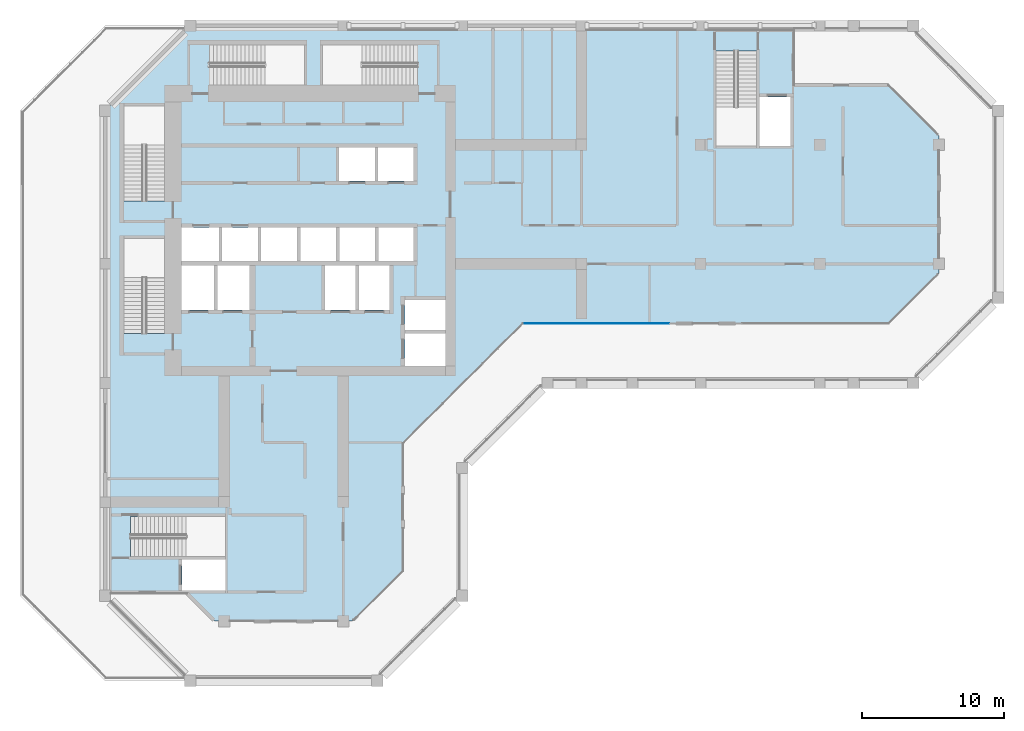
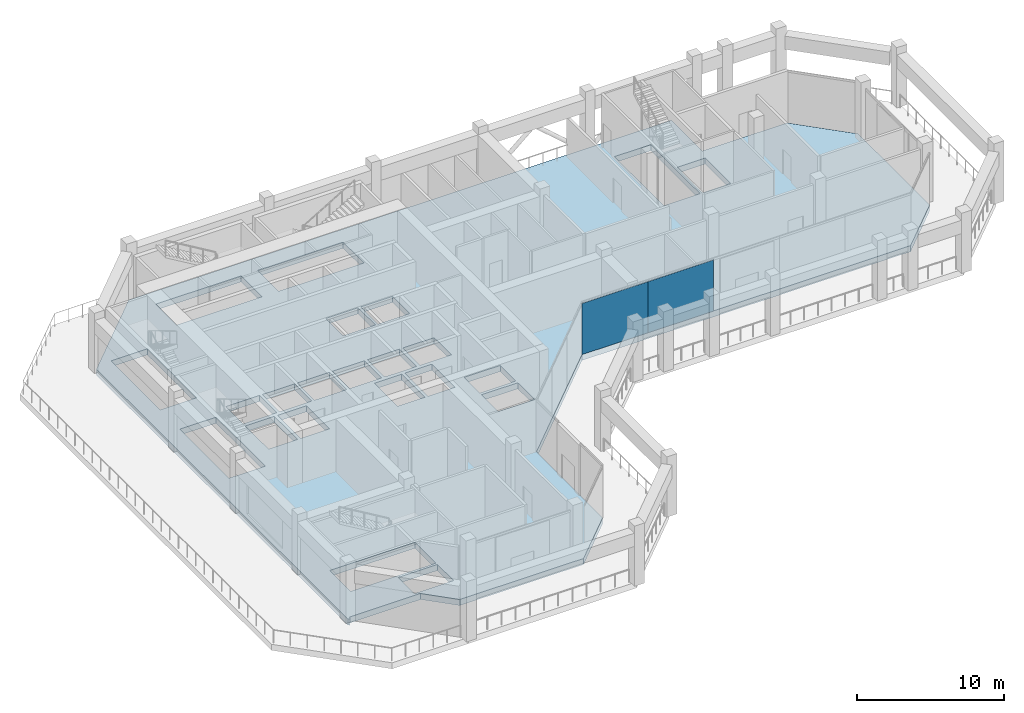
# One storey, part 4 of 16: 2 plates, 1 slab, 1 element without a shape of its own.
"""IFC4 building model written with IfcOpenShell, lengths in metres."""

from ifc_helpers import new_model, si_unit, direction, frame, origin, origin_2d, place, context, subcontext, project, spatial, polyline, rectangle, outline, extrude, material, layer, layer_set, type_object, element, aggregate, save


model = new_model("IFC4")

# Units and contexts
model_context = context("Model", 3, precision=1e-05, world=origin(), true_north=direction((0.0, 1.0)))
body_context = subcontext(model_context, "Body", "Model", "MODEL_VIEW")
ifc_project = project(units=[si_unit("LENGTHUNIT", "METRE"), si_unit("AREAUNIT", "SQUARE_METRE"), si_unit("VOLUMEUNIT", "CUBIC_METRE"), si_unit("PLANEANGLEUNIT", "RADIAN"), si_unit("MASSUNIT", "GRAM", prefix="KILO")], contexts=[model_context])

# Site, building, storey
site_placement = place(None, origin())
site = spatial("IfcSite", under=ifc_project, at=site_placement, CompositionType="ELEMENT")
building_placement = place(site_placement, origin())
building = spatial("IfcBuilding", under=site, at=building_placement, Name="Kawkab Arch Medical Tower", CompositionType="ELEMENT")
storey_placement = place(building_placement, frame((0.0, 0.0, 272.60009765625)))
storey = spatial("IfcBuildingStorey", under=building, at=storey_placement, Name="L63", CompositionType="ELEMENT", Elevation=272.60009765625)

# Curtain wall, plates
ifc_material_1 = material(Name="Bronze anodised aluminium curtain wall frame", Category="aluminium")
ifc_layer_1 = layer(ifc_material_1, 0.159912109375)
ifc_layer_set_1 = layer_set([ifc_layer_1], Name="Bronze anodised aluminium curtain wall frame")
curtain_wall_type = type_object("IfcCurtainWallType", Name="CW4 refuge floor fire-protected glazing", PredefinedType="NOTDEFINED", material=ifc_layer_set_1)
curtain_wall_placement = place(storey_placement, origin())
curtain_wall = element("IfcCurtainWall", 1, at=curtain_wall_placement, inside=storey, type_object=curtain_wall_type, Name="CW4 Refuge floor fire-protected glazing R13", PredefinedType="NOTDEFINED")
ifc_material_2 = material(Name="Fire-resisting laminated glass", Category="glass")
ifc_layer_2 = layer(ifc_material_2, 0.0400390625)
ifc_layer_set_2 = layer_set([ifc_layer_2], Name="Fire-resisting laminated glass")
plate_type = type_object("IfcPlateType", Name="CW4 glazing unit 40", PredefinedType="CURTAIN_PANEL", material=ifc_layer_set_2)
plate_1_placement = place(storey_placement, frame((32.0400390625, -21.0, 0.0), z_axis=(0.0, 0.0, 1.0), x_axis=(1.0, 0.0, 0.0)))
plate_1 = element("IfcPlate", 2, at=plate_1_placement, type_object=plate_type, Name="CW4 glazing unit 1.1", PredefinedType="CURTAIN_PANEL", context=body_context, shape_type="SweptSolid", body=[
    extrude(rectangle(XDim=5.159912109375, YDim=0.0400390625, at=origin_2d()), origin(), (0.0, 0.0, 1.0), 4.239990234375),
])
plate_2_placement = place(storey_placement, frame((37.199951171875, -21.0, 0.0), z_axis=(0.0, 0.0, 1.0), x_axis=(1.0, 0.0, 0.0)))
plate_2 = element("IfcPlate", 3, at=plate_2_placement, type_object=plate_type, Name="CW4 glazing unit 2.1", PredefinedType="CURTAIN_PANEL", context=body_context, shape_type="SweptSolid", body=[
    extrude(rectangle(XDim=5.159912109375, YDim=0.0400390625, at=origin_2d()), origin(), (0.0, 0.0, 1.0), 4.239990234375),
])
aggregate(curtain_wall, [plate_1, plate_2])

# Slab
ifc_material_3 = material(Name="Concrete C45/55", Category="concrete")
ifc_layer_3 = layer(ifc_material_3, 0.5)
ifc_layer_set_3 = layer_set([ifc_layer_3], Name="Concrete C45/55")
slab_type = type_object("IfcSlabType", Name="Transfer plate 500 C45/55", PredefinedType="FLOOR", material=ifc_layer_set_3)
slab_placement = place(storey_placement, frame((0.0, 0.0, -0.5)))
element("IfcSlab", 4, at=slab_placement, inside=storey, type_object=slab_type, Name="Floor slab L63", PredefinedType="FLOOR", context=body_context, shape_type="SweptSolid", body=[
    extrude(outline(polyline([(48.60107421875, 0.0), (48.60107421875, -0.300048828125), (48.60107421875, -4.199951171875), (55.260009765625, -4.199951171875), (58.800048828125, -7.739990234375), (58.800048828125, -17.4599609375), (55.260009765625, -21.0), (29.4599609375, -21.0), (21.0, -29.4599609375), (21.0, -38.4599609375), (17.4599609375, -42.0), (17.4599609375, -42.0009765625), (7.739990234375, -42.0009765625), (7.739990234375, -42.0), (5.7900390625, -40.050048828125), (0.300048828125, -40.050048828125), (0.216064453125, -40.050048828125), (0.10888671875, -40.30908203125), (6.0, -46.199951171875), (0.0, -40.199951171875), (0.0, -6.0), (6.0, 0.0), (48.60107421875, 0.0)]), holes=[polyline([(5.425048828125, -37.64990234375), (5.425048828125, -39.85009765625), (8.5, -39.85009765625), (8.5, -37.64990234375), (5.425048828125, -37.64990234375)]), polyline([(8.5, -37.449951171875), (8.5, -34.60009765625), (1.800048828125, -34.60009765625), (1.800048828125, -37.449951171875), (8.5, -37.449951171875)]), polyline([(5.39990234375, -20.050048828125), (7.675048828125, -20.050048828125), (7.675048828125, -16.89990234375), (5.39990234375, -16.89990234375), (5.39990234375, -20.050048828125)]), polyline([(10.199951171875, -20.050048828125), (10.199951171875, -16.89990234375), (7.925048828125, -16.89990234375), (7.925048828125, -20.050048828125), (10.199951171875, -20.050048828125)]), polyline([(4.199951171875, -21.699951171875), (4.199951171875, -15.0), (1.35009765625, -15.0), (1.35009765625, -21.699951171875), (4.199951171875, -21.699951171875)]), polyline([(5.39990234375, -16.60009765625), (8.050048828125, -16.60009765625), (8.050048828125, -14.25), (5.39990234375, -14.25), (5.39990234375, -16.60009765625)]), polyline([(10.800048828125, -14.25), (8.25, -14.25), (8.25, -16.60009765625), (10.800048828125, -16.60009765625), (10.800048828125, -14.25)]), polyline([(13.52490234375, -16.60009765625), (13.52490234375, -14.25), (11.0, -14.25), (11.0, -16.60009765625), (13.52490234375, -16.60009765625)]), polyline([(16.27490234375, -14.25), (13.77490234375, -14.25), (13.77490234375, -16.60009765625), (16.27490234375, -16.60009765625), (16.27490234375, -14.25)]), polyline([(4.199951171875, -12.35009765625), (4.199951171875, -5.64990234375), (1.35009765625, -5.64990234375), (1.35009765625, -12.35009765625), (4.199951171875, -12.35009765625)]), polyline([(7.35009765625, -4.199951171875), (14.050048828125, -4.199951171875), (14.050048828125, -1.35009765625), (7.35009765625, -1.35009765625), (7.35009765625, -4.199951171875)]), polyline([(24.0, -21.72509765625), (21.14990234375, -21.72509765625), (21.14990234375, -24.0), (24.0, -24.0), (24.0, -21.72509765625)]), polyline([(24.0, -19.35009765625), (21.14990234375, -19.35009765625), (21.14990234375, -21.47509765625), (24.0, -21.47509765625), (24.0, -19.35009765625)]), polyline([(15.52490234375, -20.050048828125), (17.675048828125, -20.050048828125), (17.675048828125, -16.89990234375), (15.52490234375, -16.89990234375), (15.52490234375, -20.050048828125)]), polyline([(17.925048828125, -16.89990234375), (17.925048828125, -20.050048828125), (20.050048828125, -20.050048828125), (20.050048828125, -16.89990234375), (17.925048828125, -16.89990234375)]), polyline([(16.52490234375, -14.25), (16.52490234375, -16.60009765625), (19.02490234375, -16.60009765625), (19.02490234375, -14.25), (16.52490234375, -14.25)]), polyline([(19.27490234375, -14.25), (19.27490234375, -16.60009765625), (21.75, -16.60009765625), (21.75, -14.25), (19.27490234375, -14.25)]), polyline([(16.5, -10.949951171875), (19.050048828125, -10.949951171875), (19.050048828125, -8.60009765625), (16.5, -8.60009765625), (16.5, -10.949951171875)]), polyline([(19.25, -8.60009765625), (19.25, -10.949951171875), (21.75, -10.949951171875), (21.75, -8.60009765625), (19.25, -8.60009765625)]), polyline([(46.14990234375, -8.5), (48.35009765625, -8.5), (48.35009765625, -5.02490234375), (46.14990234375, -5.02490234375), (46.14990234375, -8.5)]), polyline([(43.10009765625, -1.800048828125), (43.10009765625, -8.5), (45.949951171875, -8.5), (45.949951171875, -1.800048828125), (43.10009765625, -1.800048828125)]), polyline([(22.050048828125, -1.35009765625), (15.35009765625, -1.35009765625), (15.35009765625, -4.199951171875), (22.050048828125, -4.199951171875), (22.050048828125, -1.35009765625)])]), origin(), (0.0, 0.0, 1.0), 0.5),
])

save(model, "model.ifc")
